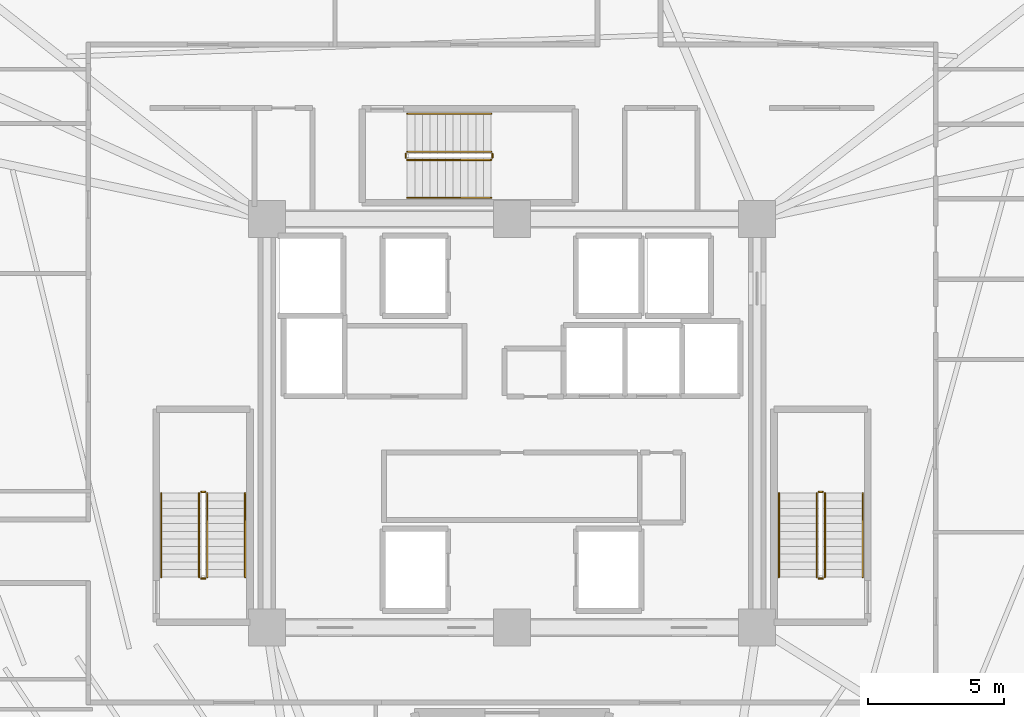
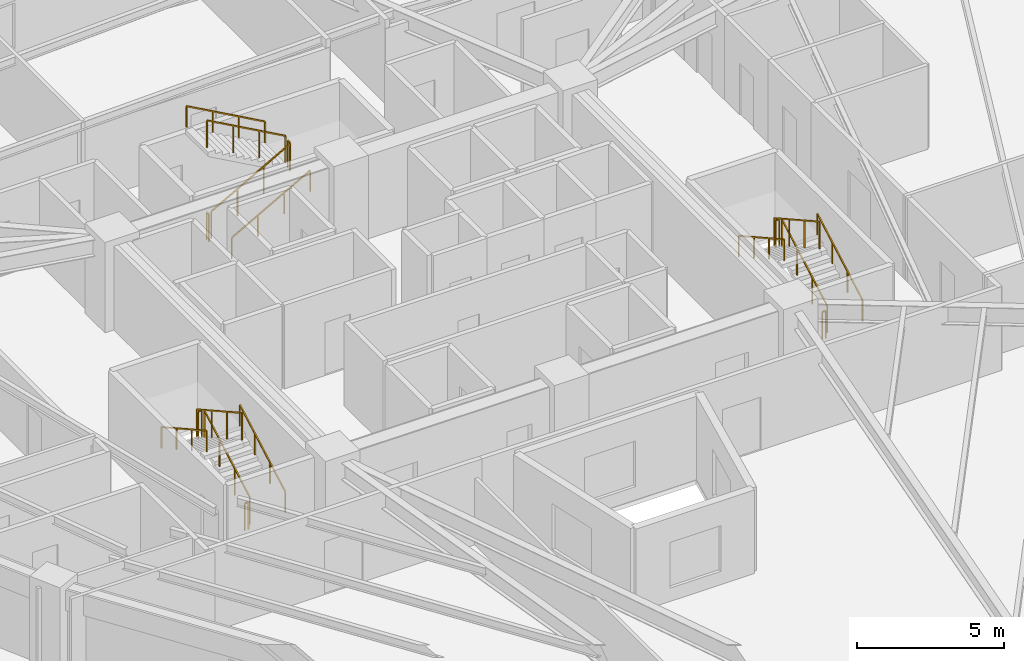
# One storey, part 8 of 8: 18 railings.
"""IFC4 building model written with IfcOpenShell, lengths in metres."""

import ifcopenshell
import ifcopenshell.guid

model = None  # the IFC model being written
_history = None  # IfcOwnerHistory: only IFC2X3 demands one
_inside = {}  # id of a spatial element -> (the spatial element, [elements in it])
_under = {}  # id of a project, library or spatial element -> (it, [spatial elements below it])
_declared = {}  # id of a project -> (the project, [libraries it declares])
_typed = {}  # id of a type object -> (the type object, [elements of that type])
_made_of = {}  # id of a material, layer set ... -> (it, [elements and type objects made of it])


def new_model(schema):
    """Start an empty IFC model of exactly this schema.

    Asked for "IFC4X3", IfcOpenShell would pick the latest addendum, in which some entities
    have other attributes; the version numbers below select the first issue.
    IFC2X3 requires an IfcOwnerHistory on every rooted entity: one is made here for all.
    """
    global model, _history
    if schema == "IFC4X3":
        model = ifcopenshell.file(schema_version=(4, 3, 0, 0))
    else:
        model = ifcopenshell.file(schema=schema)
    _inside.clear()
    _under.clear()
    _declared.clear()
    _typed.clear()
    _made_of.clear()
    _history = None
    if model.schema == "IFC2X3":
        org = make("IfcOrganization", Name="unknown")
        user = make(
            "IfcPersonAndOrganization",
            ThePerson=make("IfcPerson", FamilyName="unknown"),
            TheOrganization=org,
        )
        app = make(
            "IfcApplication",
            ApplicationDeveloper=org,
            Version="unknown",
            ApplicationFullName="unknown",
            ApplicationIdentifier="unknown",
        )
        _history = make(
            "IfcOwnerHistory",
            OwningUser=user,
            OwningApplication=app,
            ChangeAction="ADDED",
            CreationDate=0,
        )
    return model


def make(cls, **values):
    """One entity of the class cls with the attributes given. An attribute that is None is left unset."""
    return model.create_entity(
        cls, **{name: value for name, value in values.items() if value is not None}
    )


def rooted(cls, **values):
    """An entity with a GlobalId (a new one), such as an element, a storey or a relation."""
    return make(cls, GlobalId=ifcopenshell.guid.new(), OwnerHistory=_history, **values)


def si_unit(unit_type, name, prefix=None):
    """IfcSIUnit, for example si_unit("LENGTHUNIT", "METRE", prefix="MILLI")."""
    return make("IfcSIUnit", UnitType=unit_type, Prefix=prefix, Name=name)


def assignment(units):
    """IfcUnitAssignment: the units of a project."""
    return None if units is None else make("IfcUnitAssignment", Units=units)


def point(xyz):
    """IfcCartesianPoint."""
    return None if xyz is None else make("IfcCartesianPoint", Coordinates=xyz)


def direction(xyz):
    """IfcDirection."""
    return None if xyz is None else make("IfcDirection", DirectionRatios=xyz)


def frame(location, z_axis=None, x_axis=None):
    """IfcAxis2Placement3D, a coordinate frame: its origin and axes. An axis left out is left unset."""
    return make(
        "IfcAxis2Placement3D",
        Location=point(location),
        Axis=direction(z_axis),
        RefDirection=direction(x_axis),
    )


def frame_2d(location, x_axis=None):
    """IfcAxis2Placement2D, a coordinate frame in the plane: its origin and x axis."""
    return make(
        "IfcAxis2Placement2D", Location=point(location), RefDirection=direction(x_axis)
    )


def origin():
    """The frame at (0, 0, 0) with its axes left unset."""
    return frame((0.0, 0.0, 0.0))


def origin_2d():
    """The frame at (0, 0) in the plane with its x axis left unset."""
    return frame_2d((0.0, 0.0))


def place(relative_to, where):
    """IfcLocalPlacement: puts the frame where relative to a parent placement (None: the world)."""
    return make(
        "IfcLocalPlacement", PlacementRelTo=relative_to, RelativePlacement=where
    )


def context(
    kind, dimensions, precision=None, world=None, true_north=None, identifier=None
):
    """IfcGeometricRepresentationContext, for example the 3D "Model" context."""
    return make(
        "IfcGeometricRepresentationContext",
        ContextIdentifier=identifier,
        ContextType=kind,
        CoordinateSpaceDimension=dimensions,
        Precision=precision,
        WorldCoordinateSystem=world,
        TrueNorth=true_north,
    )


def subcontext(parent, identifier, kind, view, scale=None):
    """IfcGeometricRepresentationSubContext, for example "Body" below "Model"."""
    return make(
        "IfcGeometricRepresentationSubContext",
        ContextIdentifier=identifier,
        ContextType=kind,
        ParentContext=parent,
        TargetScale=scale,
        TargetView=view,
    )


def project(units=None, contexts=None):
    """IfcProject with its units and contexts."""
    return rooted(
        "IfcProject",
        Name="project",
        RepresentationContexts=contexts,
        UnitsInContext=assignment(units),
    )


def spatial(cls, under=None, at=None, **own):
    """A site, building, storey or space (cls), placed at a placement, below another one or the project."""
    s = rooted(cls, ObjectPlacement=at, **own)
    if under is not None:
        _under.setdefault(under.id(), (under, []))[1].append(s)
    return s


def profile(cls, at=None, kind="AREA", **sizes):
    """A parametric profile (cls). Its sizes go by their IFC names, for example OverallWidth=200.0."""
    return make(cls, ProfileType=kind, Position=at, **sizes)


def rectangle(**sizes):
    """IfcRectangleProfileDef."""
    return profile("IfcRectangleProfileDef", **sizes)


def extrude(swept, where, along, depth):
    """IfcExtrudedAreaSolid: the profile swept, set in the frame where, extruded along a direction by depth."""
    return make(
        "IfcExtrudedAreaSolid",
        SweptArea=swept,
        Position=where,
        ExtrudedDirection=direction(along),
        Depth=depth,
    )


def shape(context_of_items, identifier, shape_type, items):
    """IfcShapeRepresentation: the items that make up one representation, for example the "Body"."""
    return make(
        "IfcShapeRepresentation",
        ContextOfItems=context_of_items,
        RepresentationIdentifier=identifier,
        RepresentationType=shape_type,
        Items=items,
    )


def material(Name=None, Category=None):
    """IfcMaterial."""
    return make("IfcMaterial", Name=Name, Category=Category)


def made_of(thing, what):
    """Note that an element or type object is made of a material, layer set ...; save() writes the relation."""
    if what is not None:
        _made_of.setdefault(what.id(), (what, []))[1].append(thing)
    return thing


def type_object(cls, material=None, **own):
    """A type object (cls), such as IfcWallType, which elements share."""
    return made_of(rooted(cls, **own), material)


def element(
    cls,
    number,
    at=None,
    inside=None,
    cuts=None,
    type_object=None,
    material=None,
    context=None,
    identifier="Body",
    shape_type=None,
    held_by="IfcProductDefinitionShape",
    body=None,
    shapes=None,
    **own,
):
    """One element of the class cls, such as IfcWall. Its Tag is "e" and its number.

    at: its placement. inside: the storey or other place that contains it. cuts: it is an
    opening in that element (IfcRelVoidsElement). A single representation is given by context,
    identifier, shape_type and body (its items); several are given by shapes. held_by: the class
    of the entity that holds the representations. save() writes the other relations.
    """
    e = rooted(cls, Tag="e%d" % number, ObjectPlacement=at, **own)
    if body is not None:
        shapes = [shape(context, identifier, shape_type, body)]
    if shapes is not None:
        e.Representation = make(held_by, Representations=shapes)
    if inside is not None:
        _inside.setdefault(inside.id(), (inside, []))[1].append(e)
    if cuts is not None:
        rooted(
            "IfcRelVoidsElement", RelatingBuildingElement=cuts, RelatedOpeningElement=e
        )
    if type_object is not None:
        _typed.setdefault(type_object.id(), (type_object, []))[1].append(e)
    return made_of(e, material)


def aggregate(whole, parts):
    """IfcRelAggregates: a whole, such as a stair, and the parts it consists of."""
    return rooted("IfcRelAggregates", RelatingObject=whole, RelatedObjects=parts)


def save(model, path):
    """Write the relations noted so far, then the file.

    IfcRelAggregates (storeys below a building ...), IfcRelContainedInSpatialStructure (elements
    in a storey), IfcRelDefinesByType, IfcRelAssociatesMaterial and IfcRelDeclares: one each for
    every whole, place, type object, material and project.
    """
    for whole, parts in _under.values():
        aggregate(whole, parts)
    for where, things in _inside.values():
        rooted(
            "IfcRelContainedInSpatialStructure",
            RelatedElements=things,
            RelatingStructure=where,
        )
    for kind, things in _typed.values():
        rooted("IfcRelDefinesByType", RelatedObjects=things, RelatingType=kind)
    for what, things in _made_of.values():
        rooted("IfcRelAssociatesMaterial", RelatedObjects=things, RelatingMaterial=what)
    for by, libraries in _declared.values():
        rooted("IfcRelDeclares", RelatingContext=by, RelatedDefinitions=libraries)
    model.write(path)


model = new_model("IFC4")

# Units and contexts
model_context = context("Model", 3, precision=1e-05, world=origin(), true_north=direction((0.0, 1.0)))
body_context = subcontext(model_context, "Body", "Model", "MODEL_VIEW")
ifc_project = project(units=[si_unit("LENGTHUNIT", "METRE"), si_unit("AREAUNIT", "SQUARE_METRE"), si_unit("VOLUMEUNIT", "CUBIC_METRE"), si_unit("PLANEANGLEUNIT", "RADIAN"), si_unit("MASSUNIT", "GRAM", prefix="KILO")], contexts=[model_context])

# Site, building, storey
site_placement = place(None, origin())
site = spatial("IfcSite", under=ifc_project, at=site_placement, CompositionType="ELEMENT")
building_placement = place(site_placement, origin())
building = spatial("IfcBuilding", under=site, at=building_placement, Name="Liaohun Quay Tower", CompositionType="ELEMENT")
storey_placement = place(building_placement, frame((0.0, 0.0, 273.75)))
storey = spatial("IfcBuildingStorey", under=building, at=storey_placement, Name="L71", CompositionType="ELEMENT", Elevation=273.75)

# Railings
ifc_material_1 = material(Name="Painted tubular steel", Category="steel")
railing_type_1 = type_object("IfcRailingType", Name="RLG-GUARD-STR", PredefinedType="GUARDRAIL", material=ifc_material_1)
railing_1_placement = place(storey_placement, frame((48.81005859375, 48.35009765625, 0.15625)))
element("IfcRailing", 1, at=railing_1_placement, inside=storey, type_object=railing_type_1, Name="L71 ST-1 stair guard 1", PredefinedType="GUARDRAIL", context=body_context, shape_type="SweptSolid", body=[
    extrude(rectangle(XDim=0.048095703125, YDim=0.048095703125, at=origin_2d()), frame((0.0, 0.0, 1.1259765625), z_axis=(0.0, 0.873225103656, 0.487317061414), x_axis=(-1.0, 0.0, 0.0)), (0.0, 0.0, 1.0), 3.52685546875),
    extrude(rectangle(XDim=0.0419921875, YDim=0.0419921875, at=origin_2d()), origin(), (0.0, 0.0, 1.0), 1.101806640625),
    extrude(rectangle(XDim=0.0419921875, YDim=0.0419921875, at=origin_2d()), frame((0.0, 1.026611328125, 0.572998046875)), (0.0, 0.0, 1.0), 1.101806640625),
    extrude(rectangle(XDim=0.0419921875, YDim=0.0419921875, at=origin_2d()), frame((0.0, 2.05322265625, 1.145751953125)), (0.0, 0.0, 1.0), 1.101806640625),
    extrude(rectangle(XDim=0.0419921875, YDim=0.0419921875, at=origin_2d()), frame((0.0, 3.079833984375, 1.71875)), (0.0, 0.0, 1.0), 1.101806640625),
])
railing_2_placement = place(storey_placement, frame((48.72998046875, 51.47998046875, 1.875)))
element("IfcRailing", 2, at=railing_2_placement, inside=storey, type_object=railing_type_1, Name="L71 ST-1 stair guard 2", PredefinedType="GUARDRAIL", context=body_context, shape_type="SweptSolid", body=[
    extrude(rectangle(XDim=0.048095703125, YDim=0.048095703125, at=origin_2d()), frame((0.0, 0.0, 1.1259765625), z_axis=(-1.0, 0.0, 0.0), x_axis=(0.0, -1.0, 0.0)), (0.0, 0.0, 1.0), 0.139892578125),
    extrude(rectangle(XDim=0.0419921875, YDim=0.0419921875, at=origin_2d()), origin(), (0.0, 0.0, 1.0), 1.101806640625),
    extrude(rectangle(XDim=0.0419921875, YDim=0.0419921875, at=origin_2d()), frame((-0.139892578125, 0.0, 0.0)), (0.0, 0.0, 1.0), 1.101806640625),
])
railing_3_placement = place(storey_placement, frame((48.510009765625, 51.429931640625, 2.03125)))
element("IfcRailing", 3, at=railing_3_placement, inside=storey, type_object=railing_type_1, Name="L71 ST-1 stair guard 3", PredefinedType="GUARDRAIL", context=body_context, shape_type="SweptSolid", body=[
    extrude(rectangle(XDim=0.048095703125, YDim=0.048095703125, at=origin_2d()), frame((0.0, 0.0, 1.1259765625), z_axis=(0.0, -0.873225103656, 0.487317061414), x_axis=(1.0, 0.0, 0.0)), (0.0, 0.0, 1.0), 3.52685546875),
    extrude(rectangle(XDim=0.0419921875, YDim=0.0419921875, at=origin_2d()), origin(), (0.0, 0.0, 1.0), 1.101806640625),
    extrude(rectangle(XDim=0.0419921875, YDim=0.0419921875, at=origin_2d()), frame((0.0, -1.026611328125, 0.572998046875)), (0.0, 0.0, 1.0), 1.101806640625),
    extrude(rectangle(XDim=0.0419921875, YDim=0.0419921875, at=origin_2d()), frame((0.0, -2.05322265625, 1.145751953125)), (0.0, 0.0, 1.0), 1.101806640625),
    extrude(rectangle(XDim=0.0419921875, YDim=0.0419921875, at=origin_2d()), frame((0.0, -3.079833984375, 1.71875)), (0.0, 0.0, 1.0), 1.101806640625),
])
railing_4_placement = place(storey_placement, frame((48.72998046875, 48.300048828125, 0.0)))
element("IfcRailing", 4, at=railing_4_placement, inside=storey, type_object=railing_type_1, Name="L71 ST-1 stair guard 4", PredefinedType="GUARDRAIL", context=body_context, shape_type="SweptSolid", body=[
    extrude(rectangle(XDim=0.048095703125, YDim=0.048095703125, at=origin_2d()), frame((0.0, 0.0, 1.1259765625), z_axis=(-1.0, 0.0, 0.0), x_axis=(0.0, -1.0, 0.0)), (0.0, 0.0, 1.0), 0.139892578125),
    extrude(rectangle(XDim=0.0419921875, YDim=0.0419921875, at=origin_2d()), origin(), (0.0, 0.0, 1.0), 1.101806640625),
    extrude(rectangle(XDim=0.0419921875, YDim=0.0419921875, at=origin_2d()), frame((-0.139892578125, 0.0, 0.0)), (0.0, 0.0, 1.0), 1.101806640625),
])
railing_5_placement = place(storey_placement, frame((71.489990234375, 48.35009765625, 0.15625)))
element("IfcRailing", 5, at=railing_5_placement, inside=storey, type_object=railing_type_1, Name="L71 ST-2 stair guard 1", PredefinedType="GUARDRAIL", context=body_context, shape_type="SweptSolid", body=[
    extrude(rectangle(XDim=0.048095703125, YDim=0.048095703125, at=origin_2d()), frame((0.0, 0.0, 1.1259765625), z_axis=(0.0, 0.873225103656, 0.487317061414), x_axis=(-1.0, 0.0, 0.0)), (0.0, 0.0, 1.0), 3.52685546875),
    extrude(rectangle(XDim=0.0419921875, YDim=0.0419921875, at=origin_2d()), origin(), (0.0, 0.0, 1.0), 1.101806640625),
    extrude(rectangle(XDim=0.0419921875, YDim=0.0419921875, at=origin_2d()), frame((0.0, 1.026611328125, 0.572998046875)), (0.0, 0.0, 1.0), 1.101806640625),
    extrude(rectangle(XDim=0.0419921875, YDim=0.0419921875, at=origin_2d()), frame((0.0, 2.05322265625, 1.145751953125)), (0.0, 0.0, 1.0), 1.101806640625),
    extrude(rectangle(XDim=0.0419921875, YDim=0.0419921875, at=origin_2d()), frame((0.0, 3.079833984375, 1.71875)), (0.0, 0.0, 1.0), 1.101806640625),
])
railing_6_placement = place(storey_placement, frame((71.409912109375, 51.47998046875, 1.875)))
element("IfcRailing", 6, at=railing_6_placement, inside=storey, type_object=railing_type_1, Name="L71 ST-2 stair guard 2", PredefinedType="GUARDRAIL", context=body_context, shape_type="SweptSolid", body=[
    extrude(rectangle(XDim=0.048095703125, YDim=0.048095703125, at=origin_2d()), frame((0.0, 0.0, 1.1259765625), z_axis=(-1.0, 0.0, 0.0), x_axis=(0.0, -1.0, 0.0)), (0.0, 0.0, 1.0), 0.139892578125),
    extrude(rectangle(XDim=0.0419921875, YDim=0.0419921875, at=origin_2d()), origin(), (0.0, 0.0, 1.0), 1.101806640625),
    extrude(rectangle(XDim=0.0419921875, YDim=0.0419921875, at=origin_2d()), frame((-0.139892578125, 0.0, 0.0)), (0.0, 0.0, 1.0), 1.101806640625),
])
railing_7_placement = place(storey_placement, frame((71.18994140625, 51.429931640625, 2.03125)))
element("IfcRailing", 7, at=railing_7_placement, inside=storey, type_object=railing_type_1, Name="L71 ST-2 stair guard 3", PredefinedType="GUARDRAIL", context=body_context, shape_type="SweptSolid", body=[
    extrude(rectangle(XDim=0.048095703125, YDim=0.048095703125, at=origin_2d()), frame((0.0, 0.0, 1.1259765625), z_axis=(0.0, -0.873225103656, 0.487317061414), x_axis=(1.0, 0.0, 0.0)), (0.0, 0.0, 1.0), 3.52685546875),
    extrude(rectangle(XDim=0.0419921875, YDim=0.0419921875, at=origin_2d()), origin(), (0.0, 0.0, 1.0), 1.101806640625),
    extrude(rectangle(XDim=0.0419921875, YDim=0.0419921875, at=origin_2d()), frame((0.0, -1.026611328125, 0.572998046875)), (0.0, 0.0, 1.0), 1.101806640625),
    extrude(rectangle(XDim=0.0419921875, YDim=0.0419921875, at=origin_2d()), frame((0.0, -2.05322265625, 1.145751953125)), (0.0, 0.0, 1.0), 1.101806640625),
    extrude(rectangle(XDim=0.0419921875, YDim=0.0419921875, at=origin_2d()), frame((0.0, -3.079833984375, 1.71875)), (0.0, 0.0, 1.0), 1.101806640625),
])
railing_8_placement = place(storey_placement, frame((71.409912109375, 48.300048828125, 0.0)))
element("IfcRailing", 8, at=railing_8_placement, inside=storey, type_object=railing_type_1, Name="L71 ST-2 stair guard 4", PredefinedType="GUARDRAIL", context=body_context, shape_type="SweptSolid", body=[
    extrude(rectangle(XDim=0.048095703125, YDim=0.048095703125, at=origin_2d()), frame((0.0, 0.0, 1.1259765625), z_axis=(-1.0, 0.0, 0.0), x_axis=(0.0, -1.0, 0.0)), (0.0, 0.0, 1.0), 0.139892578125),
    extrude(rectangle(XDim=0.0419921875, YDim=0.0419921875, at=origin_2d()), origin(), (0.0, 0.0, 1.0), 1.101806640625),
    extrude(rectangle(XDim=0.0419921875, YDim=0.0419921875, at=origin_2d()), frame((-0.139892578125, 0.0, 0.0)), (0.0, 0.0, 1.0), 1.101806640625),
])
railing_9_placement = place(storey_placement, frame((56.14990234375, 63.669921875, 0.15625)))
element("IfcRailing", 9, at=railing_9_placement, inside=storey, type_object=railing_type_1, Name="L71 ST-3 stair guard 1", PredefinedType="GUARDRAIL", context=body_context, shape_type="SweptSolid", body=[
    extrude(rectangle(XDim=0.048095703125, YDim=0.048095703125, at=origin_2d()), frame((0.0, 0.0, 1.1259765625), z_axis=(0.873241540666, 0.0, 0.487287606713), x_axis=(0.0, 1.0, 0.0)), (0.0, 0.0, 1.0), 3.527099609375),
    extrude(rectangle(XDim=0.0419921875, YDim=0.0419921875, at=origin_2d()), origin(), (0.0, 0.0, 1.0), 1.101806640625),
    extrude(rectangle(XDim=0.0419921875, YDim=0.0419921875, at=origin_2d()), frame((1.026611328125, 0.0, 0.572998046875)), (0.0, 0.0, 1.0), 1.101806640625),
    extrude(rectangle(XDim=0.0419921875, YDim=0.0419921875, at=origin_2d()), frame((2.053466796875, 0.0, 1.145751953125)), (0.0, 0.0, 1.0), 1.101806640625),
    extrude(rectangle(XDim=0.0419921875, YDim=0.0419921875, at=origin_2d()), frame((3.080078125, 0.0, 1.71875)), (0.0, 0.0, 1.0), 1.101806640625),
])
railing_10_placement = place(storey_placement, frame((59.280029296875, 63.75, 1.875)))
element("IfcRailing", 10, at=railing_10_placement, inside=storey, type_object=railing_type_1, Name="L71 ST-3 stair guard 2", PredefinedType="GUARDRAIL", context=body_context, shape_type="SweptSolid", body=[
    extrude(rectangle(XDim=0.048095703125, YDim=0.048095703125, at=origin_2d()), frame((0.0, 0.0, 1.1259765625), z_axis=(0.0, 1.0, 0.0), x_axis=(-1.0, 0.0, 0.0)), (0.0, 0.0, 1.0), 0.139892578125),
    extrude(rectangle(XDim=0.0419921875, YDim=0.0419921875, at=origin_2d()), origin(), (0.0, 0.0, 1.0), 1.101806640625),
    extrude(rectangle(XDim=0.0419921875, YDim=0.0419921875, at=origin_2d()), frame((0.0, 0.139892578125, 0.0)), (0.0, 0.0, 1.0), 1.101806640625),
])
railing_11_placement = place(storey_placement, frame((59.22998046875, 63.969970703125, 2.03125)))
element("IfcRailing", 11, at=railing_11_placement, inside=storey, type_object=railing_type_1, Name="L71 ST-3 stair guard 3", PredefinedType="GUARDRAIL", context=body_context, shape_type="SweptSolid", body=[
    extrude(rectangle(XDim=0.048095703125, YDim=0.048095703125, at=origin_2d()), frame((0.0, 0.0, 1.1259765625), z_axis=(-0.873241540666, 0.0, 0.487287606713), x_axis=(0.0, -1.0, 0.0)), (0.0, 0.0, 1.0), 3.527099609375),
    extrude(rectangle(XDim=0.0419921875, YDim=0.0419921875, at=origin_2d()), origin(), (0.0, 0.0, 1.0), 1.101806640625),
    extrude(rectangle(XDim=0.0419921875, YDim=0.0419921875, at=origin_2d()), frame((-1.026611328125, 0.0, 0.572998046875)), (0.0, 0.0, 1.0), 1.101806640625),
    extrude(rectangle(XDim=0.0419921875, YDim=0.0419921875, at=origin_2d()), frame((-2.053466796875, 0.0, 1.145751953125)), (0.0, 0.0, 1.0), 1.101806640625),
    extrude(rectangle(XDim=0.0419921875, YDim=0.0419921875, at=origin_2d()), frame((-3.080078125, 0.0, 1.71875)), (0.0, 0.0, 1.0), 1.101806640625),
])
railing_12_placement = place(storey_placement, frame((56.10009765625, 63.75, 0.0)))
element("IfcRailing", 12, at=railing_12_placement, inside=storey, type_object=railing_type_1, Name="L71 ST-3 stair guard 4", PredefinedType="GUARDRAIL", context=body_context, shape_type="SweptSolid", body=[
    extrude(rectangle(XDim=0.048095703125, YDim=0.048095703125, at=origin_2d()), frame((0.0, 0.0, 1.1259765625), z_axis=(0.0, 1.0, 0.0), x_axis=(-1.0, 0.0, 0.0)), (0.0, 0.0, 1.0), 0.139892578125),
    extrude(rectangle(XDim=0.0419921875, YDim=0.0419921875, at=origin_2d()), origin(), (0.0, 0.0, 1.0), 1.101806640625),
    extrude(rectangle(XDim=0.0419921875, YDim=0.0419921875, at=origin_2d()), frame((0.0, 0.139892578125, 0.0)), (0.0, 0.0, 1.0), 1.101806640625),
])
ifc_material_2 = material(Name="Brushed stainless steel", Category="steel")
railing_type_2 = type_object("IfcRailingType", Name="RLG-HND-STR", PredefinedType="HANDRAIL", material=ifc_material_2)
railing_13_placement = place(storey_placement, frame((50.199951171875, 48.35009765625, 0.15625)))
element("IfcRailing", 13, at=railing_13_placement, inside=storey, type_object=railing_type_2, Name="L71 ST-1 stair handrail 1", PredefinedType="HANDRAIL", context=body_context, shape_type="SweptSolid", body=[
    extrude(rectangle(XDim=0.048095703125, YDim=0.048095703125, at=origin_2d()), frame((0.0, 0.0, 0.8759765625), z_axis=(0.0, 0.873225103656, 0.487317061414), x_axis=(-1.0, 0.0, 0.0)), (0.0, 0.0, 1.0), 3.52685546875),
    extrude(rectangle(XDim=0.0419921875, YDim=0.0419921875, at=origin_2d()), origin(), (0.0, 0.0, 1.0), 0.851806640625),
    extrude(rectangle(XDim=0.0419921875, YDim=0.0419921875, at=origin_2d()), frame((0.0, 1.026611328125, 0.572998046875)), (0.0, 0.0, 1.0), 0.851806640625),
    extrude(rectangle(XDim=0.0419921875, YDim=0.0419921875, at=origin_2d()), frame((0.0, 2.05322265625, 1.145751953125)), (0.0, 0.0, 1.0), 0.851806640625),
    extrude(rectangle(XDim=0.0419921875, YDim=0.0419921875, at=origin_2d()), frame((0.0, 3.079833984375, 1.71875)), (0.0, 0.0, 1.0), 0.851806640625),
])
railing_14_placement = place(storey_placement, frame((47.1201171875, 51.429931640625, 2.03125)))
element("IfcRailing", 14, at=railing_14_placement, inside=storey, type_object=railing_type_2, Name="L71 ST-1 stair handrail 2", PredefinedType="HANDRAIL", context=body_context, shape_type="SweptSolid", body=[
    extrude(rectangle(XDim=0.048095703125, YDim=0.048095703125, at=origin_2d()), frame((0.0, 0.0, 0.8759765625), z_axis=(0.0, -0.873225103656, 0.487317061414), x_axis=(1.0, 0.0, 0.0)), (0.0, 0.0, 1.0), 3.52685546875),
    extrude(rectangle(XDim=0.0419921875, YDim=0.0419921875, at=origin_2d()), origin(), (0.0, 0.0, 1.0), 0.851806640625),
    extrude(rectangle(XDim=0.0419921875, YDim=0.0419921875, at=origin_2d()), frame((0.0, -1.026611328125, 0.572998046875)), (0.0, 0.0, 1.0), 0.851806640625),
    extrude(rectangle(XDim=0.0419921875, YDim=0.0419921875, at=origin_2d()), frame((0.0, -2.05322265625, 1.145751953125)), (0.0, 0.0, 1.0), 0.851806640625),
    extrude(rectangle(XDim=0.0419921875, YDim=0.0419921875, at=origin_2d()), frame((0.0, -3.079833984375, 1.71875)), (0.0, 0.0, 1.0), 0.851806640625),
])
railing_15_placement = place(storey_placement, frame((72.8798828125, 48.35009765625, 0.15625)))
element("IfcRailing", 15, at=railing_15_placement, inside=storey, type_object=railing_type_2, Name="L71 ST-2 stair handrail 1", PredefinedType="HANDRAIL", context=body_context, shape_type="SweptSolid", body=[
    extrude(rectangle(XDim=0.048095703125, YDim=0.048095703125, at=origin_2d()), frame((0.0, 0.0, 0.8759765625), z_axis=(0.0, 0.873225103656, 0.487317061414), x_axis=(-1.0, 0.0, 0.0)), (0.0, 0.0, 1.0), 3.52685546875),
    extrude(rectangle(XDim=0.0419921875, YDim=0.0419921875, at=origin_2d()), origin(), (0.0, 0.0, 1.0), 0.851806640625),
    extrude(rectangle(XDim=0.0419921875, YDim=0.0419921875, at=origin_2d()), frame((0.0, 1.026611328125, 0.572998046875)), (0.0, 0.0, 1.0), 0.851806640625),
    extrude(rectangle(XDim=0.0419921875, YDim=0.0419921875, at=origin_2d()), frame((0.0, 2.05322265625, 1.145751953125)), (0.0, 0.0, 1.0), 0.851806640625),
    extrude(rectangle(XDim=0.0419921875, YDim=0.0419921875, at=origin_2d()), frame((0.0, 3.079833984375, 1.71875)), (0.0, 0.0, 1.0), 0.851806640625),
])
railing_16_placement = place(storey_placement, frame((69.800048828125, 51.429931640625, 2.03125)))
element("IfcRailing", 16, at=railing_16_placement, inside=storey, type_object=railing_type_2, Name="L71 ST-2 stair handrail 2", PredefinedType="HANDRAIL", context=body_context, shape_type="SweptSolid", body=[
    extrude(rectangle(XDim=0.048095703125, YDim=0.048095703125, at=origin_2d()), frame((0.0, 0.0, 0.8759765625), z_axis=(0.0, -0.873225103656, 0.487317061414), x_axis=(1.0, 0.0, 0.0)), (0.0, 0.0, 1.0), 3.52685546875),
    extrude(rectangle(XDim=0.0419921875, YDim=0.0419921875, at=origin_2d()), origin(), (0.0, 0.0, 1.0), 0.851806640625),
    extrude(rectangle(XDim=0.0419921875, YDim=0.0419921875, at=origin_2d()), frame((0.0, -1.026611328125, 0.572998046875)), (0.0, 0.0, 1.0), 0.851806640625),
    extrude(rectangle(XDim=0.0419921875, YDim=0.0419921875, at=origin_2d()), frame((0.0, -2.05322265625, 1.145751953125)), (0.0, 0.0, 1.0), 0.851806640625),
    extrude(rectangle(XDim=0.0419921875, YDim=0.0419921875, at=origin_2d()), frame((0.0, -3.079833984375, 1.71875)), (0.0, 0.0, 1.0), 0.851806640625),
])
railing_17_placement = place(storey_placement, frame((56.14990234375, 62.280029296875, 0.15625)))
element("IfcRailing", 17, at=railing_17_placement, inside=storey, type_object=railing_type_2, Name="L71 ST-3 stair handrail 1", PredefinedType="HANDRAIL", context=body_context, shape_type="SweptSolid", body=[
    extrude(rectangle(XDim=0.048095703125, YDim=0.048095703125, at=origin_2d()), frame((0.0, 0.0, 0.8759765625), z_axis=(0.873241540666, 0.0, 0.487287606713), x_axis=(0.0, 1.0, 0.0)), (0.0, 0.0, 1.0), 3.527099609375),
    extrude(rectangle(XDim=0.0419921875, YDim=0.0419921875, at=origin_2d()), origin(), (0.0, 0.0, 1.0), 0.851806640625),
    extrude(rectangle(XDim=0.0419921875, YDim=0.0419921875, at=origin_2d()), frame((1.026611328125, 0.0, 0.572998046875)), (0.0, 0.0, 1.0), 0.851806640625),
    extrude(rectangle(XDim=0.0419921875, YDim=0.0419921875, at=origin_2d()), frame((2.053466796875, 0.0, 1.145751953125)), (0.0, 0.0, 1.0), 0.851806640625),
    extrude(rectangle(XDim=0.0419921875, YDim=0.0419921875, at=origin_2d()), frame((3.080078125, 0.0, 1.71875)), (0.0, 0.0, 1.0), 0.851806640625),
])
railing_18_placement = place(storey_placement, frame((59.22998046875, 65.360107421875, 2.03125)))
element("IfcRailing", 18, at=railing_18_placement, inside=storey, type_object=railing_type_2, Name="L71 ST-3 stair handrail 2", PredefinedType="HANDRAIL", context=body_context, shape_type="SweptSolid", body=[
    extrude(rectangle(XDim=0.048095703125, YDim=0.048095703125, at=origin_2d()), frame((0.0, 0.0, 0.8759765625), z_axis=(-0.873241540666, 0.0, 0.487287606713), x_axis=(0.0, -1.0, 0.0)), (0.0, 0.0, 1.0), 3.527099609375),
    extrude(rectangle(XDim=0.0419921875, YDim=0.0419921875, at=origin_2d()), origin(), (0.0, 0.0, 1.0), 0.851806640625),
    extrude(rectangle(XDim=0.0419921875, YDim=0.0419921875, at=origin_2d()), frame((-1.026611328125, 0.0, 0.572998046875)), (0.0, 0.0, 1.0), 0.851806640625),
    extrude(rectangle(XDim=0.0419921875, YDim=0.0419921875, at=origin_2d()), frame((-2.053466796875, 0.0, 1.145751953125)), (0.0, 0.0, 1.0), 0.851806640625),
    extrude(rectangle(XDim=0.0419921875, YDim=0.0419921875, at=origin_2d()), frame((-3.080078125, 0.0, 1.71875)), (0.0, 0.0, 1.0), 0.851806640625),
])

save(model, "model.ifc")
